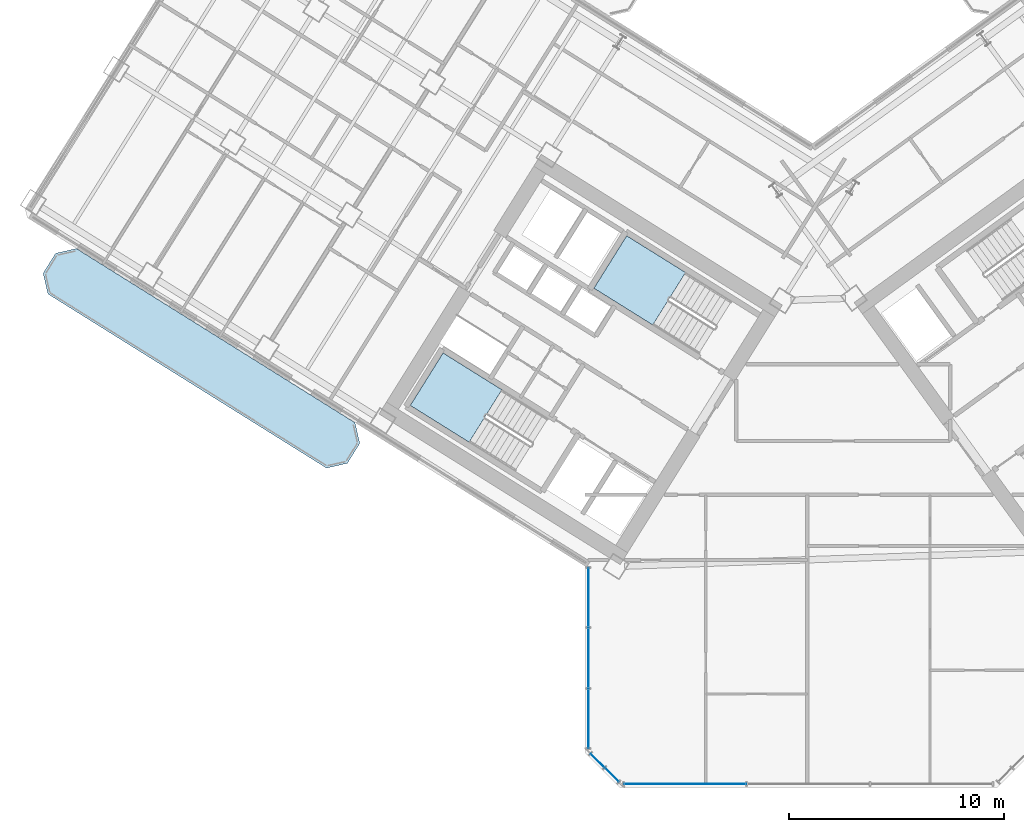
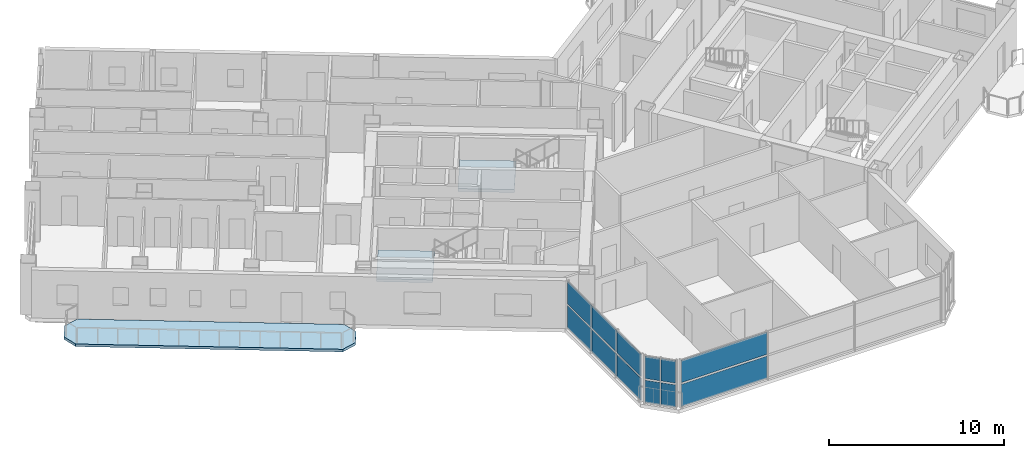
# One storey, part 8 of 21: 12 plates, 3 slabs, 5 elements without a shape of their own.
"""IFC4 building model written with IfcOpenShell, lengths in metres."""

from ifc_helpers import new_model, si_unit, direction, frame, origin, origin_2d, place, context, subcontext, project, spatial, polyline, rectangle, outline, extrude, source, transform, mapped, material, layer, layer_set, type_object, element, aggregate, save


model = new_model("IFC4")

# Units and contexts
model_context = context("Model", 3, precision=1e-05, world=origin(), true_north=direction((0.0, 1.0)))
body_context = subcontext(model_context, "Body", "Model", "MODEL_VIEW")
ifc_project = project(units=[si_unit("LENGTHUNIT", "METRE"), si_unit("AREAUNIT", "SQUARE_METRE"), si_unit("VOLUMEUNIT", "CUBIC_METRE"), si_unit("PLANEANGLEUNIT", "RADIAN"), si_unit("MASSUNIT", "GRAM", prefix="KILO")], contexts=[model_context])

# Site, building, storey
site_placement = place(None, origin())
site = spatial("IfcSite", under=ifc_project, at=site_placement, CompositionType="ELEMENT")
building_placement = place(site_placement, origin())
building = spatial("IfcBuilding", under=site, at=building_placement, Name="Tlacorven Tower", CompositionType="ELEMENT")
storey_placement = place(building_placement, frame((0.0, 0.0, 90.0)))
storey = spatial("IfcBuildingStorey", under=building, at=storey_placement, Name="L22", CompositionType="ELEMENT", Elevation=90.0)

# Slab
ifc_material_1 = material(Name="Precast concrete C45/55", Category="concrete")
ifc_layer_1 = layer(ifc_material_1, 0.179931640625)
ifc_layer_set_1 = layer_set([ifc_layer_1], Name="Precast concrete C45/55")
slab_type_1 = type_object("IfcSlabType", Name="SL-BAL-180", PredefinedType="USERDEFINED", material=ifc_layer_set_1)
slab_1_placement = place(storey_placement, frame((0.0, 0.0, -0.179931640625)))
element("IfcSlab", 1, at=slab_1_placement, inside=storey, type_object=slab_type_1, Name="L22 West Wing Balcony Ribbon OUT", ObjectType="BALCONY SLAB", PredefinedType="USERDEFINED", context=body_context, shape_type="SweptSolid", body=[
    extrude(outline(polyline([(20.88671875, 18.78271484375), (7.91162109375, 26.890625), (6.947021484375, 26.66796875), (6.366943359375, 25.7392578125), (6.589599609375, 24.774658203125), (19.564697265625, 16.6669921875), (20.529296875, 16.8896484375), (21.109375, 17.818115234375), (20.88671875, 18.78271484375)])), origin(), (0.0, 0.0, 1.0), 0.179931640625),
])

# Stair, slab
ifc_material_2 = material(Name="Concrete C40/50", Category="concrete")
stair_type = type_object("IfcStairType", Name="ST-CORE-DLG", PredefinedType="HALF_TURN_STAIR", material=ifc_material_2)
stair_1_placement = place(storey_placement, origin())
stair_1 = element("IfcStair", 2, at=stair_1_placement, inside=storey, type_object=stair_type, Name="L22 Protected Exit Stair West 1", PredefinedType="HALF_TURN_STAIR")
ifc_layer_2 = layer(ifc_material_2, 0.199951171875)
ifc_layer_set_2 = layer_set([ifc_layer_2], Name="Concrete C40/50")
slab_type_2 = type_object("IfcSlabType", Name="SL-LND-200", PredefinedType="LANDING", material=ifc_layer_set_2)
slab_2_placement = place(storey_placement, frame((0.0, 0.0, 1.60009765625)))
slab_2 = element("IfcSlab", 3, at=slab_2_placement, type_object=slab_type_2, Name="ST-W1 landing 1", PredefinedType="LANDING", context=body_context, shape_type="SweptSolid", body=[
    extrude(outline(polyline([(27.728515625, 20.315185546875), (24.9892578125, 22.02685546875), (23.463134765625, 19.58447265625), (26.2021484375, 17.872802734375), (27.728515625, 20.315185546875)])), origin(), (0.0, 0.0, 1.0), 0.199951171875),
])
aggregate(stair_1, [slab_2])

stair_2_placement = place(storey_placement, origin())
stair_2 = element("IfcStair", 4, at=stair_2_placement, inside=storey, type_object=stair_type, Name="L22 Protected Exit Stair West 2", PredefinedType="HALF_TURN_STAIR")
slab_3_placement = place(storey_placement, frame((0.0, 0.0, 1.60009765625)))
slab_3 = element("IfcSlab", 5, at=slab_3_placement, type_object=slab_type_2, Name="ST-W2 landing 1", PredefinedType="LANDING", context=body_context, shape_type="SweptSolid", body=[
    extrude(outline(polyline([(36.280029296875, 25.772705078125), (33.540771484375, 27.484375), (32.0146484375, 25.0419921875), (34.75390625, 23.33056640625), (36.280029296875, 25.772705078125)])), origin(), (0.0, 0.0, 1.0), 0.199951171875),
])
aggregate(stair_2, [slab_3])

# Curtain wall, plates
ifc_material_3 = material(Name="Dark solar low-E double glazing in aluminium frame", Category="aluminium")
curtain_wall_type = type_object("IfcCurtainWallType", Name="CW-TWR-LOW", PredefinedType="USERDEFINED", material=ifc_material_3)
curtain_wall_1_placement = place(storey_placement, origin())
curtain_wall_1 = element("IfcCurtainWall", 6, at=curtain_wall_1_placement, inside=storey, type_object=curtain_wall_type, Name="L22 CW-TWR-LOW Curtain Wall 117", ObjectType="UNITISED CURTAIN WALL", PredefinedType="USERDEFINED")
ifc_material_4 = material(Name="Dark solar double low-E glazing", Category="glass")
ifc_layer_3 = layer(ifc_material_4, 0.031982421875)
ifc_layer_set_3 = layer_set([ifc_layer_3], Name="Dark solar double low-E glazing")
plate_type = type_object("IfcPlateType", Name="CWP-02", PredefinedType="CURTAIN_PANEL", material=ifc_layer_set_3)
shared_shape_1 = source(origin(), body_context, "Body", "SweptSolid", [
    extrude(rectangle(XDim=0.878173828125, YDim=0.031982421875, at=origin_2d()), origin(), (0.0, 0.0, 1.0), 1.552978515625),
])
plate_1_placement = place(storey_placement, frame((32.842041015625, 2.38427734375, 0.06103515625), z_axis=(0.0, 0.0, 1.0), x_axis=(-0.707106781187, 0.707106781187, 0.0)))
plate_1 = element("IfcPlate", 7, at=plate_1_placement, type_object=plate_type, Name="CW-L22-117 Glazing Panel 1", PredefinedType="CURTAIN_PANEL", context=body_context, shape_type="MappedRepresentation", body=[
    mapped(shared_shape_1, transform((0.0, 0.0, 0.0), scale=1.0)),
])
plate_2_placement = place(storey_placement, frame((32.842041015625, 2.38427734375, 1.73583984375), z_axis=(0.0, 0.0, 1.0), x_axis=(-0.707106781187, 0.707106781187, 0.0)))
plate_2 = element("IfcPlate", 8, at=plate_2_placement, type_object=plate_type, Name="CW-L22-117 Glazing Panel 2", PredefinedType="CURTAIN_PANEL", context=body_context, shape_type="MappedRepresentation", body=[
    mapped(shared_shape_1, transform((0.0, 0.0, 0.0), scale=1.0)),
])
plate_3_placement = place(storey_placement, frame((32.184326171875, 3.0419921875, 0.06103515625), z_axis=(0.0, 0.0, 1.0), x_axis=(-0.707106781187, 0.707106781187, 0.0)))
plate_3 = element("IfcPlate", 9, at=plate_3_placement, type_object=plate_type, Name="CW-L22-117 Glazing Panel 3", PredefinedType="CURTAIN_PANEL", context=body_context, shape_type="MappedRepresentation", body=[
    mapped(shared_shape_1, transform((0.0, 0.0, 0.0), scale=1.0)),
])
plate_4_placement = place(storey_placement, frame((32.184326171875, 3.0419921875, 1.73583984375), z_axis=(0.0, 0.0, 1.0), x_axis=(-0.707106781187, 0.707106781187, 0.0)))
plate_4 = element("IfcPlate", 10, at=plate_4_placement, type_object=plate_type, Name="CW-L22-117 Glazing Panel 4", PredefinedType="CURTAIN_PANEL", context=body_context, shape_type="MappedRepresentation", body=[
    mapped(shared_shape_1, transform((0.0, 0.0, 0.0), scale=1.0)),
])
aggregate(curtain_wall_1, [plate_1, plate_2, plate_3, plate_4])

curtain_wall_2_placement = place(storey_placement, origin())
curtain_wall_2 = element("IfcCurtainWall", 11, at=curtain_wall_2_placement, inside=storey, type_object=curtain_wall_type, Name="L22 CW-TWR-LOW Curtain Wall 116", ObjectType="UNITISED CURTAIN WALL", PredefinedType="USERDEFINED")
shared_shape_2 = source(origin(), body_context, "Body", "SweptSolid", [
    extrude(rectangle(XDim=5.668701171875, YDim=0.031982421875, at=origin_2d()), origin(), (0.0, 0.0, 1.0), 1.552978515625),
])
plate_5_placement = place(storey_placement, frame((36.26171875, 1.9599609375, 0.06103515625), z_axis=(0.0, 0.0, 1.0), x_axis=(-1.0, 0.0, 0.0)))
plate_5 = element("IfcPlate", 12, at=plate_5_placement, type_object=plate_type, Name="CW-L22-116 Glazing Panel 5", PredefinedType="CURTAIN_PANEL", context=body_context, shape_type="MappedRepresentation", body=[
    mapped(shared_shape_2, transform((0.0, 0.0, 0.0), scale=1.0)),
])
plate_6_placement = place(storey_placement, frame((36.26171875, 1.9599609375, 1.73583984375), z_axis=(0.0, 0.0, 1.0), x_axis=(-1.0, 0.0, 0.0)))
plate_6 = element("IfcPlate", 13, at=plate_6_placement, type_object=plate_type, Name="CW-L22-116 Glazing Panel 6", PredefinedType="CURTAIN_PANEL", context=body_context, shape_type="MappedRepresentation", body=[
    mapped(shared_shape_2, transform((0.0, 0.0, 0.0), scale=1.0)),
])
aggregate(curtain_wall_2, [plate_5, plate_6])

curtain_wall_3_placement = place(storey_placement, origin())
curtain_wall_3 = element("IfcCurtainWall", 14, at=curtain_wall_3_placement, inside=storey, type_object=curtain_wall_type, Name="L22 CW-TWR-LOW Curtain Wall 118", ObjectType="UNITISED CURTAIN WALL", PredefinedType="USERDEFINED")
shared_shape_3 = source(origin(), body_context, "Body", "SweptSolid", [
    extrude(rectangle(XDim=2.751953125, YDim=0.031982421875, at=origin_2d()), origin(), (0.0, 0.0, 1.0), 1.552978515625),
])
plate_7_placement = place(storey_placement, frame((31.760009765625, 5.003173828125, 0.06103515625), z_axis=(0.0, 0.0, 1.0), x_axis=(0.0, 1.0, 0.0)))
plate_7 = element("IfcPlate", 15, at=plate_7_placement, type_object=plate_type, Name="CW-L22-118 Glazing Panel 1", PredefinedType="CURTAIN_PANEL", context=body_context, shape_type="MappedRepresentation", body=[
    mapped(shared_shape_3, transform((0.0, 0.0, 0.0), scale=1.0)),
])
plate_8_placement = place(storey_placement, frame((31.760009765625, 5.003173828125, 1.73583984375), z_axis=(0.0, 0.0, 1.0), x_axis=(0.0, 1.0, 0.0)))
plate_8 = element("IfcPlate", 16, at=plate_8_placement, type_object=plate_type, Name="CW-L22-118 Glazing Panel 2", PredefinedType="CURTAIN_PANEL", context=body_context, shape_type="MappedRepresentation", body=[
    mapped(shared_shape_3, transform((0.0, 0.0, 0.0), scale=1.0)),
])
plate_9_placement = place(storey_placement, frame((31.760009765625, 10.64599609375, 0.06103515625), z_axis=(0.0, 0.0, 1.0), x_axis=(0.0, 1.0, 0.0)))
plate_9 = element("IfcPlate", 17, at=plate_9_placement, type_object=plate_type, Name="CW-L22-118 Glazing Panel 5", PredefinedType="CURTAIN_PANEL", context=body_context, shape_type="MappedRepresentation", body=[
    mapped(shared_shape_3, transform((0.0, 0.0, 0.0), scale=1.0)),
])
plate_10_placement = place(storey_placement, frame((31.760009765625, 10.64599609375, 1.73583984375), z_axis=(0.0, 0.0, 1.0), x_axis=(0.0, 1.0, 0.0)))
plate_10 = element("IfcPlate", 18, at=plate_10_placement, type_object=plate_type, Name="CW-L22-118 Glazing Panel 6", PredefinedType="CURTAIN_PANEL", context=body_context, shape_type="MappedRepresentation", body=[
    mapped(shared_shape_3, transform((0.0, 0.0, 0.0), scale=1.0)),
])
shared_shape_4 = source(origin(), body_context, "Body", "SweptSolid", [
    extrude(rectangle(XDim=2.786865234375, YDim=0.031982421875, at=origin_2d()), origin(), (0.0, 0.0, 1.0), 1.552978515625),
])
plate_11_placement = place(storey_placement, frame((31.760009765625, 7.82470703125, 0.06103515625), z_axis=(0.0, 0.0, 1.0), x_axis=(0.0, 1.0, 0.0)))
plate_11 = element("IfcPlate", 19, at=plate_11_placement, type_object=plate_type, Name="CW-L22-118 Glazing Panel 3", PredefinedType="CURTAIN_PANEL", context=body_context, shape_type="MappedRepresentation", body=[
    mapped(shared_shape_4, transform((0.0, 0.0, 0.0), scale=1.0)),
])
plate_12_placement = place(storey_placement, frame((31.760009765625, 7.82470703125, 1.73583984375), z_axis=(0.0, 0.0, 1.0), x_axis=(0.0, 1.0, 0.0)))
plate_12 = element("IfcPlate", 20, at=plate_12_placement, type_object=plate_type, Name="CW-L22-118 Glazing Panel 4", PredefinedType="CURTAIN_PANEL", context=body_context, shape_type="MappedRepresentation", body=[
    mapped(shared_shape_4, transform((0.0, 0.0, 0.0), scale=1.0)),
])
aggregate(curtain_wall_3, [plate_7, plate_8, plate_11, plate_12, plate_9, plate_10])

save(model, "model.ifc")
